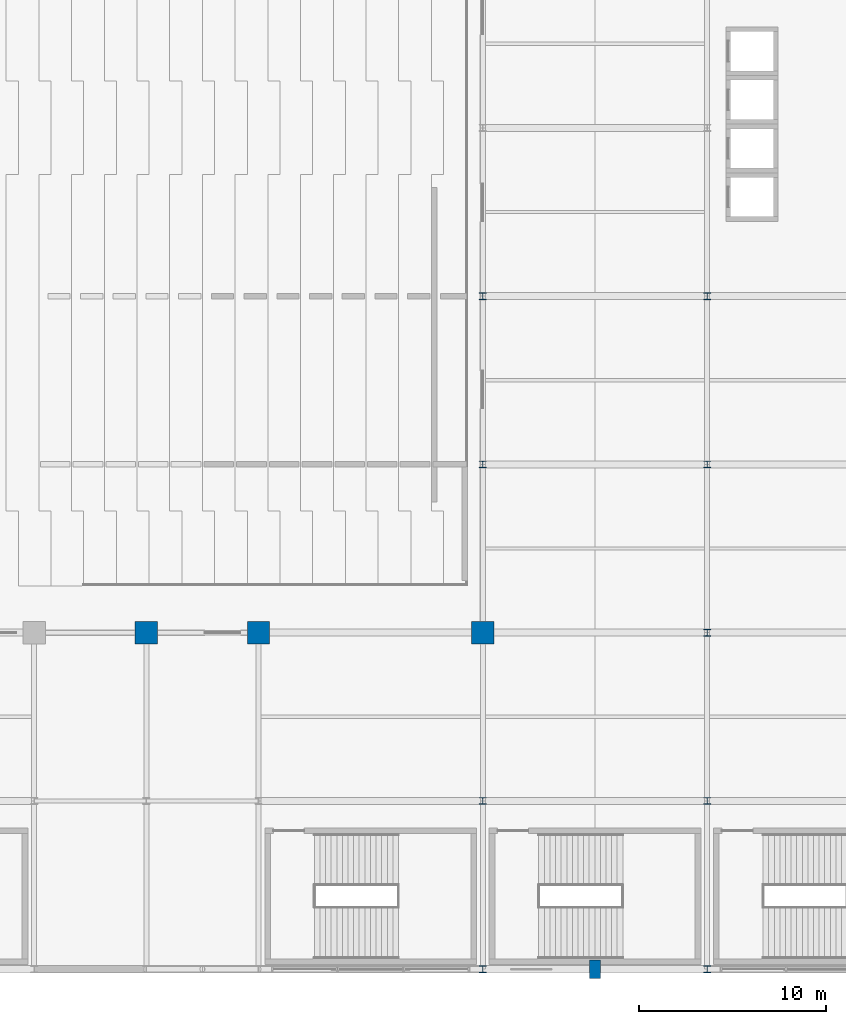
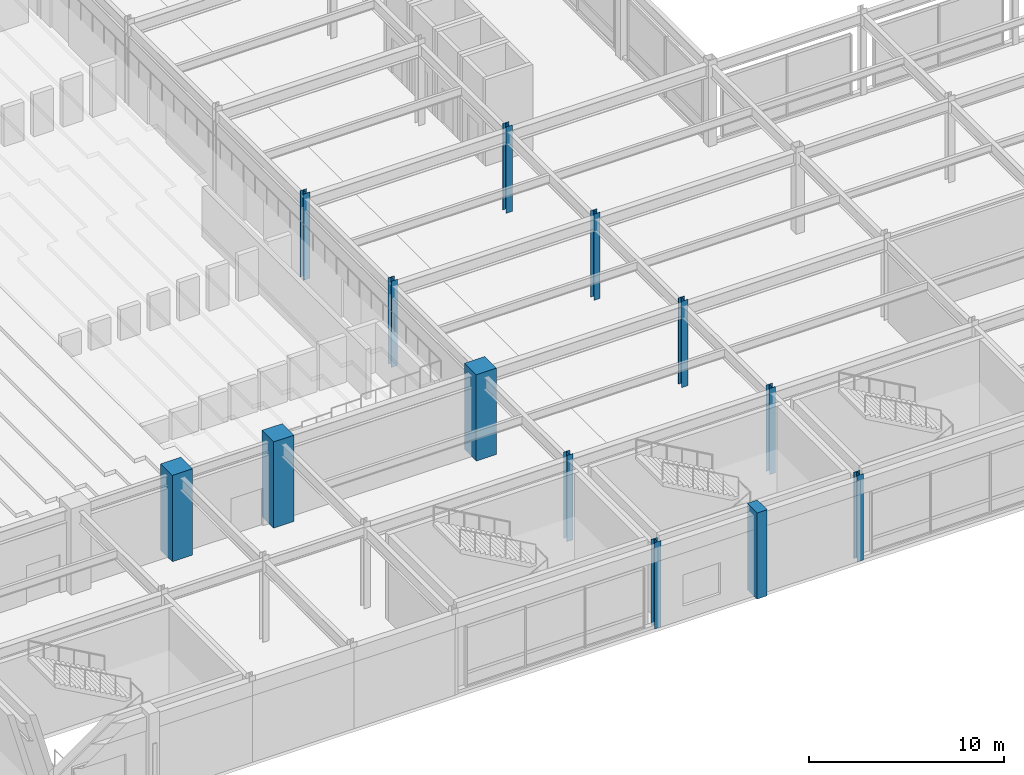
# One storey, part 5 of 100: 13 columns.
"""IFC4 building model written with IfcOpenShell, lengths in metres."""

from ifc_helpers import new_model, si_unit, direction, frame, origin, origin_2d, place, context, subcontext, project, spatial, rectangle, i_section, extrude, material, material_profile, profile_set, type_object, element, save


model = new_model("IFC4")

# Units and contexts
model_context = context("Model", 3, precision=1e-05, world=origin(), true_north=direction((0.0, 1.0)))
body_context = subcontext(model_context, "Body", "Model", "MODEL_VIEW")
ifc_project = project(units=[si_unit("LENGTHUNIT", "METRE"), si_unit("AREAUNIT", "SQUARE_METRE"), si_unit("VOLUMEUNIT", "CUBIC_METRE"), si_unit("PLANEANGLEUNIT", "RADIAN"), si_unit("MASSUNIT", "GRAM", prefix="KILO")], contexts=[model_context])

# Site, building, storey
site_placement = place(None, origin())
site = spatial("IfcSite", under=ifc_project, at=site_placement, CompositionType="ELEMENT")
building_placement = place(site_placement, origin())
building = spatial("IfcBuilding", under=site, at=building_placement, Name="Kaldorvane Square Convention Centre", CompositionType="ELEMENT")
storey_placement = place(building_placement, frame((0.0, 0.0, 18.0)))
storey = spatial("IfcBuildingStorey", under=building, at=storey_placement, Name="L03", CompositionType="ELEMENT", Elevation=18.0)

# Columns
ifc_material_1 = material(Name="Concrete f'c = 55 MPa (Normalweight)", Category="concrete")
ifc_material_profile_1 = material_profile(ifc_material_1, rectangle(XDim=1.1999969482421875, YDim=1.1999969482421875, at=origin_2d()), Name="RC1200X1200")
ifc_profile_set_1 = profile_set([ifc_material_profile_1], Name="Concrete f'c = 55 MPa (Normalweight)")
column_type_1 = type_object("IfcColumnType", Name="COL-MEGA-1200", PredefinedType="COLUMN", material=ifc_profile_set_1)
for number, where, z_axis, x_axis, name in (
    (1, (96.0, 18.0, 0.0), (0.0, 0.0, 1.0), (1.0, 0.0, 0.0), "Column MC-02 (L03)"),
    (2, (102.0, 18.0, 0.0), (0.0, 0.0, 1.0), (1.0, 0.0, 0.0), "Column MC-02 (L03)"),
    (3, (114.0, 18.0, 0.0), (0.0, 0.0, 1.0), (1.0, 0.0, 0.0), "Column MC-02 (L03)"),
):
    element("IfcColumn", number, at=place(storey_placement, frame(where, z_axis=z_axis, x_axis=x_axis)), inside=storey, type_object=column_type_1, Name=name, PredefinedType="COLUMN", context=body_context, shape_type="SweptSolid", body=[
        extrude(rectangle(XDim=1.1999969482421875, YDim=1.1999969482421875, at=origin_2d()), origin(), (0.0, 0.0, 1.0), 5.399993896484375),
    ])
ifc_material_2 = material(Name="Steel ASTM A992 Gr. 50", Category="steel")
ifc_material_profile_2 = material_profile(ifc_material_2, i_section(OverallWidth=0.3701019287109375, OverallDepth=0.360198974609375, WebThickness=0.012298583984375, FlangeThickness=0.019805908203125, FilletRadius=0.0305023193359375, at=origin_2d()), Name="W14X99")
ifc_profile_set_2 = profile_set([ifc_material_profile_2], Name="Steel ASTM A992 Gr. 50")
column_type_2 = type_object("IfcColumnType", Name="COL-STL-99", PredefinedType="COLUMN", material=ifc_profile_set_2)
for number, where, z_axis, x_axis, name in (
    (4, (114.0, 0.0, 0.0), (0.0, 0.0, 1.0), (1.0, 0.0, 0.0), "Column SC-12 (L03)"),
    (5, (114.0, 9.0, 0.0), (0.0, 0.0, 1.0), (1.0, 0.0, 0.0), "Column SC-12 (L03)"),
    (6, (114.0, 27.0, 0.0), (0.0, 0.0, 1.0), (1.0, 0.0, 0.0), "Column SC-12 (L03)"),
    (7, (114.0, 36.0, 0.0), (0.0, 0.0, 1.0), (1.0, 0.0, 0.0), "Column SC-12 (L03)"),
    (8, (126.0, 0.0, 0.0), (0.0, 0.0, 1.0), (1.0, 0.0, 0.0), "Column SC-12 (L03)"),
    (9, (126.0, 9.0, 0.0), (0.0, 0.0, 1.0), (1.0, 0.0, 0.0), "Column SC-12 (L03)"),
    (10, (126.0, 18.0, 0.0), (0.0, 0.0, 1.0), (1.0, 0.0, 0.0), "Column SC-12 (L03)"),
    (11, (126.0, 27.0, 0.0), (0.0, 0.0, 1.0), (1.0, 0.0, 0.0), "Column SC-12 (L03)"),
    (12, (126.0, 36.0, 0.0), (0.0, 0.0, 1.0), (1.0, 0.0, 0.0), "Column SC-12 (L03)"),
):
    element("IfcColumn", number, at=place(storey_placement, frame(where, z_axis=z_axis, x_axis=x_axis)), inside=storey, type_object=column_type_2, Name=name, PredefinedType="COLUMN", context=body_context, shape_type="SweptSolid", body=[
        extrude(i_section(OverallWidth=0.3701019287109375, OverallDepth=0.360198974609375, WebThickness=0.012298583984375, FlangeThickness=0.019805908203125, FilletRadius=0.0305023193359375, at=origin_2d()), origin(), (0.0, 0.0, 1.0), 5.399993896484375),
    ])
ifc_material_profile_3 = material_profile(ifc_material_1, rectangle(XDim=0.600006103515625, YDim=1.0, at=origin_2d()), Name="PIL1000X600")
ifc_profile_set_3 = profile_set([ifc_material_profile_3], Name="Concrete f'c = 55 MPa (Normalweight)")
column_type_3 = type_object("IfcColumnType", Name="PIL-BRUT-1000", PredefinedType="PILASTER", material=ifc_profile_set_3)
column_placement = place(storey_placement, frame((120.0, 0.0, 0.0), z_axis=(0.0, 0.0, 1.0), x_axis=(1.0, 0.0, 0.0)))
element("IfcColumn", 13, at=column_placement, inside=storey, type_object=column_type_3, Name="Brutalist Colonnade Pilaster (L03)", PredefinedType="PILASTER", context=body_context, shape_type="SweptSolid", body=[
    extrude(rectangle(XDim=0.600006103515625, YDim=1.0, at=origin_2d()), origin(), (0.0, 0.0, 1.0), 5.399993896484375),
])

save(model, "model.ifc")
